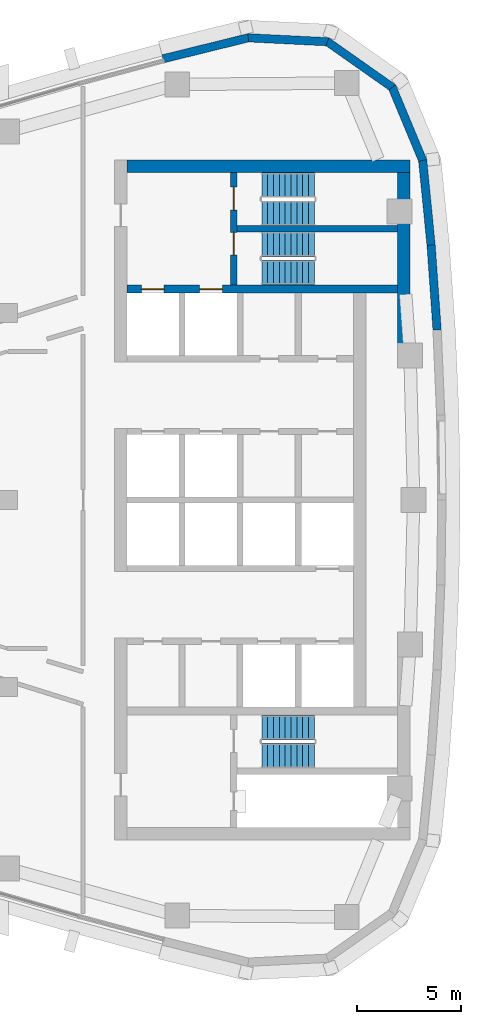
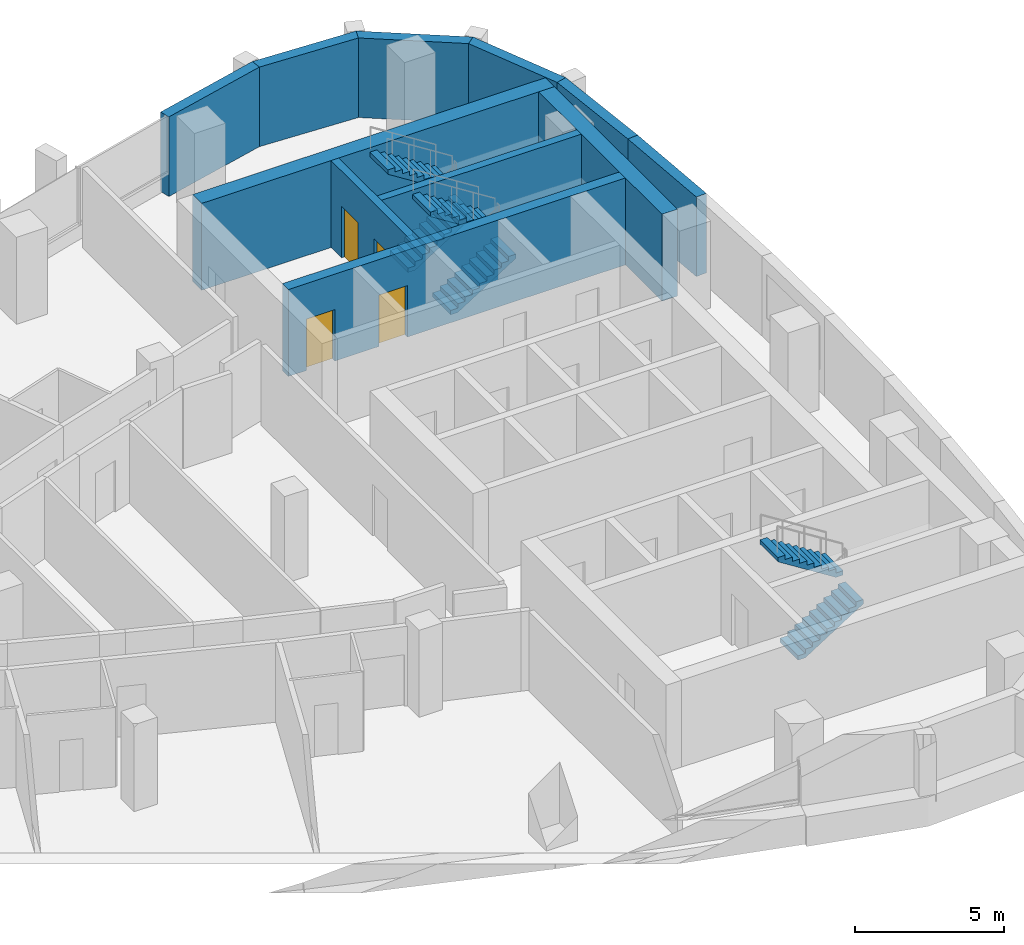
# One storey, part 11 of 15: 11 walls, 6 stair flights, 4 doors, 4 openings, 3 elements without a shape of their own.
"""IFC4 building model written with IfcOpenShell, lengths in metres."""

from ifc_helpers import new_model, si_unit, direction, frame, frame_2d, origin, place, context, subcontext, project, spatial, polyline, rectangle, outline, extrude, material, layer, layer_set, type_object, element, fill, aggregate, save


model = new_model("IFC4")

# Units and contexts
model_context = context("Model", 3, precision=1e-05, world=origin(), true_north=direction((0.0, 1.0)))
body_context = subcontext(model_context, "Body", "Model", "MODEL_VIEW")
ifc_project = project(units=[si_unit("LENGTHUNIT", "METRE"), si_unit("AREAUNIT", "SQUARE_METRE"), si_unit("VOLUMEUNIT", "CUBIC_METRE"), si_unit("PLANEANGLEUNIT", "RADIAN"), si_unit("MASSUNIT", "GRAM", prefix="KILO")], contexts=[model_context])

# Site, building, storey
site_placement = place(None, origin())
site = spatial("IfcSite", under=ifc_project, at=site_placement, CompositionType="ELEMENT")
building_placement = place(site_placement, origin())
building = spatial("IfcBuilding", under=site, at=building_placement, Name="Ostrand Prow Hotel Tower", CompositionType="ELEMENT")
storey_placement = place(building_placement, frame((0.0, 0.0, 242.10009765625)))
storey = spatial("IfcBuildingStorey", under=building, at=storey_placement, Name="L61", CompositionType="ELEMENT", Elevation=242.10009765625)

# Wall, openings, doors
ifc_material_1 = material(Name="Concrete C50/60", Category="concrete")
ifc_layer_1 = layer(ifc_material_1, 0.300048828125)
ifc_layer_set_1 = layer_set([ifc_layer_1], Name="Concrete C50/60")
wall_type_1 = type_object("IfcWallType", Name="Core wall 300 C50/60", PredefinedType="SHEAR", material=ifc_layer_set_1)
wall_1_placement = place(storey_placement, frame((55.85009765625, 10.35009765625, 0.0), z_axis=(0.0, 0.0, 1.0), x_axis=(0.0, 1.0, 0.0)))
wall_1 = element("IfcWall", 1, at=wall_1_placement, inside=storey, type_object=wall_type_1, Name="Core wall PW-VN", PredefinedType="SHEAR", context=body_context, shape_type="SweptSolid", body=[
    extrude(rectangle(XDim=5.39990234375, YDim=0.300048828125, at=frame_2d((2.699951171875, 0.0))), origin(), (0.0, 0.0, 1.0), 3.5498046875),
])
opening_1_placement = place(wall_1_placement, frame((1.429931640625, 0.0, 0.0)))
opening_1 = element("IfcOpeningElement", 2, at=opening_1_placement, cuts=wall_1, Name="Opening FD1", PredefinedType="OPENING", context=body_context, shape_type="SweptSolid", body=[
    extrude(rectangle(XDim=1.10009765625, YDim=2.10009765625, at=frame_2d((0.550048828125, 1.050048828125))), frame((0.0, 0.159912109375, 0.0), z_axis=(0.0, -1.0, 0.0), x_axis=(1.0, 0.0, 0.0)), (0.0, 0.0, 1.0), 0.320068359375),
])
opening_2_placement = place(wall_1_placement, frame((3.60009765625, 0.0, 0.0)))
opening_2 = element("IfcOpeningElement", 3, at=opening_2_placement, cuts=wall_1, Name="Opening FD1", PredefinedType="OPENING", context=body_context, shape_type="SweptSolid", body=[
    extrude(rectangle(XDim=1.10009765625, YDim=2.10009765625, at=frame_2d((0.550048828125, 1.050048828125))), frame((0.0, 0.159912109375, 0.0), z_axis=(0.0, -1.0, 0.0), x_axis=(1.0, 0.0, 0.0)), (0.0, 0.0, 1.0), 0.320068359375),
])
ifc_material_2 = material(Name="Steel fire door", Category="steel")
door_type_1 = type_object("IfcDoorType", Name="Fire door 1100 EI120", OperationType="SINGLE_SWING_RIGHT", PredefinedType="DOOR", material=ifc_material_2)
door_1_placement = place(opening_1_placement, origin())
door_1 = element("IfcDoor", 4, at=door_1_placement, inside=storey, type_object=door_type_1, Name="FIRE DOOR", OperationType="SINGLE_SWING_RIGHT", OverallHeight=2.10009765625, OverallWidth=1.10009765625, PredefinedType="DOOR", context=body_context, shape_type="SweptSolid", body=[
    extrude(rectangle(XDim=1.10009765625, YDim=2.10009765625, at=frame_2d((0.550048828125, 1.050048828125))), frame((0.0, 0.02490234375, 0.0), z_axis=(0.0, -1.0, 0.0), x_axis=(1.0, 0.0, 0.0)), (0.0, 0.0, 1.0), 0.050048828125),
])
fill(opening_1, door_1)
door_2_placement = place(opening_2_placement, origin())
door_2 = element("IfcDoor", 5, at=door_2_placement, inside=storey, type_object=door_type_1, Name="FIRE DOOR", OperationType="SINGLE_SWING_RIGHT", OverallHeight=2.10009765625, OverallWidth=1.10009765625, PredefinedType="DOOR", context=body_context, shape_type="SweptSolid", body=[
    extrude(rectangle(XDim=1.10009765625, YDim=2.10009765625, at=frame_2d((0.550048828125, 1.050048828125))), frame((0.0, 0.02490234375, 0.0), z_axis=(0.0, -1.0, 0.0), x_axis=(1.0, 0.0, 0.0)), (0.0, 0.0, 1.0), 0.050048828125),
])
fill(opening_2, door_2)

# Wall
wall_2_placement = place(storey_placement, frame((56.0, 13.050048828125, 0.0), z_axis=(0.0, 0.0, 1.0), x_axis=(1.0, 0.0, 0.0)))
element("IfcWall", 6, at=wall_2_placement, inside=storey, type_object=wall_type_1, Name="Core wall PW-ST13", PredefinedType="SHEAR", context=body_context, shape_type="SweptSolid", body=[
    extrude(rectangle(XDim=7.719970703125, YDim=0.300048828125, at=frame_2d((3.85986328125, 0.0))), origin(), (0.0, 0.0, 1.0), 3.5498046875),
])

# Wall, openings, doors
ifc_material_3 = material(Name="Concrete C50/60", Category="concrete")
ifc_layer_2 = layer(ifc_material_3, 0.39990234375)
ifc_layer_set_2 = layer_set([ifc_layer_2], Name="Concrete C50/60")
wall_type_2 = type_object("IfcWallType", Name="Core wall 400 C50/60", PredefinedType="SHEAR", material=ifc_layer_set_2)
wall_3_placement = place(storey_placement, frame((50.699951171875, 10.14990234375, 0.0), z_axis=(0.0, 0.0, 1.0), x_axis=(1.0, 0.0, 0.0)))
wall_3 = element("IfcWall", 7, at=wall_3_placement, inside=storey, type_object=wall_type_2, Name="Core wall PW-BN", PredefinedType="SHEAR", context=body_context, shape_type="SweptSolid", body=[
    extrude(rectangle(XDim=13.02001953125, YDim=0.39990234375, at=frame_2d((6.510009765625, 0.0))), origin(), (0.0, 0.0, 1.0), 3.5498046875),
])
opening_3_placement = place(wall_3_placement, frame((0.699951171875, 0.0, 0.0)))
opening_3 = element("IfcOpeningElement", 8, at=opening_3_placement, cuts=wall_3, Name="Opening LD", PredefinedType="OPENING", context=body_context, shape_type="SweptSolid", body=[
    extrude(rectangle(XDim=1.10009765625, YDim=2.10009765625, at=frame_2d((0.550048828125, 1.050048828125))), frame((0.0, 0.2099609375, 0.0), z_axis=(0.0, -1.0, 0.0), x_axis=(1.0, 0.0, 0.0)), (0.0, 0.0, 1.0), 0.419921875),
])
opening_4_placement = place(wall_3_placement, frame((3.5, 0.0, 0.0)))
opening_4 = element("IfcOpeningElement", 9, at=opening_4_placement, cuts=wall_3, Name="Opening LD", PredefinedType="OPENING", context=body_context, shape_type="SweptSolid", body=[
    extrude(rectangle(XDim=1.10009765625, YDim=2.10009765625, at=frame_2d((0.550048828125, 1.050048828125))), frame((0.0, 0.2099609375, 0.0), z_axis=(0.0, -1.0, 0.0), x_axis=(1.0, 0.0, 0.0)), (0.0, 0.0, 1.0), 0.419921875),
])
ifc_material_4 = material(Name="Stainless steel door", Category="steel")
door_type_2 = type_object("IfcDoorType", Name="Lift landing door 1100", OperationType="DOUBLE_DOOR_SLIDING", PredefinedType="DOOR", material=ifc_material_4)
door_3_placement = place(opening_3_placement, origin())
door_3 = element("IfcDoor", 10, at=door_3_placement, inside=storey, type_object=door_type_2, Name="LIFT LANDING DOOR", OperationType="DOUBLE_DOOR_SLIDING", OverallHeight=2.10009765625, OverallWidth=1.10009765625, PredefinedType="DOOR", context=body_context, shape_type="SweptSolid", body=[
    extrude(rectangle(XDim=1.10009765625, YDim=2.10009765625, at=frame_2d((0.550048828125, 1.050048828125))), frame((0.0, 0.02490234375, 0.0), z_axis=(0.0, -1.0, 0.0), x_axis=(1.0, 0.0, 0.0)), (0.0, 0.0, 1.0), 0.050048828125),
])
fill(opening_3, door_3)
door_4_placement = place(opening_4_placement, origin())
door_4 = element("IfcDoor", 11, at=door_4_placement, inside=storey, type_object=door_type_2, Name="LIFT LANDING DOOR", OperationType="DOUBLE_DOOR_SLIDING", OverallHeight=2.10009765625, OverallWidth=1.10009765625, PredefinedType="DOOR", context=body_context, shape_type="SweptSolid", body=[
    extrude(rectangle(XDim=1.10009765625, YDim=2.10009765625, at=frame_2d((0.550048828125, 1.050048828125))), frame((0.0, 0.02490234375, 0.0), z_axis=(0.0, -1.0, 0.0), x_axis=(1.0, 0.0, 0.0)), (0.0, 0.0, 1.0), 0.050048828125),
])
fill(opening_4, door_4)

# Walls
ifc_material_5 = material(Name="Concrete C50/60", Category="concrete")
ifc_layer_3 = layer(ifc_material_5, 0.60009765625)
ifc_layer_set_3 = layer_set([ifc_layer_3], Name="Concrete C50/60")
wall_type_3 = type_object("IfcWallType", Name="Core wall 600 C50/60", PredefinedType="SHEAR", material=ifc_layer_set_3)
wall_4_placement = place(storey_placement, frame((50.699951171875, 16.050048828125, 0.0), z_axis=(0.0, 0.0, 1.0), x_axis=(1.0, 0.0, 0.0)))
element("IfcWall", 12, at=wall_4_placement, inside=storey, type_object=wall_type_3, Name="Core wall CW-N", PredefinedType="SHEAR", context=body_context, shape_type="SweptSolid", body=[
    extrude(rectangle(XDim=13.6201171875, YDim=0.60009765625, at=frame_2d((6.81005859375, 0.0))), origin(), (0.0, 0.0, 1.0), 3.5498046875),
])
wall_5_placement = place(storey_placement, frame((64.02001953125, 7.502197265625, 0.0), z_axis=(0.0, 0.0, 1.0), x_axis=(0.0, 1.0, 0.0)))
element("IfcWall", 13, at=wall_5_placement, inside=storey, type_object=wall_type_3, Name="Core wall CW-E-N", PredefinedType="SHEAR", context=body_context, shape_type="SweptSolid", body=[
    extrude(rectangle(XDim=8.247802734375, YDim=0.60009765625, at=frame_2d((4.1240234375, 0.0))), origin(), (0.0, 0.0, 1.0), 3.5498046875),
])
ifc_material_6 = material(Name="Precast concrete C40/50", Category="concrete")
ifc_layer_4 = layer(ifc_material_6, 0.39990234375)
ifc_layer_set_4 = layer_set([ifc_layer_4], Name="Precast concrete C40/50")
wall_type_4 = type_object("IfcWallType", Name="Stone-faced precast wall 400 mm", PredefinedType="NOTDEFINED", material=ifc_layer_set_4)
wall_6_placement = place(storey_placement, frame((65.630615234375, 8.181640625, 0.0), z_axis=(0.0, 0.0, 1.0), x_axis=(-0.070623905352, 0.997503014528, 0.0)))
element("IfcWall", 14, at=wall_6_placement, inside=storey, type_object=wall_type_4, Name="Stone-faced wall back 11", PredefinedType="NOTDEFINED", context=body_context, shape_type="SweptSolid", body=[
    extrude(outline(polyline([(-0.002685546875, -0.199951171875), (4.095703125, -0.199951171875), (4.09033203125, 0.199951171875), (0.002685546875, 0.199951171875), (-0.002685546875, -0.199951171875)])), origin(), (0.0, 0.0, 1.0), 3.25),
])
wall_7_placement = place(storey_placement, frame((65.341552734375, 12.264404296875, 0.0), z_axis=(0.0, 0.0, 1.0), x_axis=(-0.098718218066, 0.995115427185, 0.0)))
element("IfcWall", 15, at=wall_7_placement, inside=storey, type_object=wall_type_4, Name="Stone-faced wall back 12", PredefinedType="NOTDEFINED", context=body_context, shape_type="SweptSolid", body=[
    extrude(outline(polyline([(-0.002685546875, -0.199951171875), (4.122802734375, -0.199951171875), (4.063232421875, 0.199951171875), (0.002685546875, 0.199951171875), (-0.002685546875, -0.199951171875)])), origin(), (0.0, 0.0, 1.0), 3.25),
])
wall_8_placement = place(storey_placement, frame((64.9375, 16.33740234375, 0.0), z_axis=(0.0, 0.0, 1.0), x_axis=(-0.3844335483, 0.923152667191, 0.0)))
element("IfcWall", 16, at=wall_8_placement, inside=storey, type_object=wall_type_4, Name="Stone-faced wall back 13", PredefinedType="NOTDEFINED", context=body_context, shape_type="SweptSolid", body=[
    extrude(outline(polyline([(-0.02978515625, -0.199951171875), (3.871337890625, -0.199951171875), (3.755615234375, 0.199951171875), (0.02978515625, 0.199951171875), (-0.02978515625, -0.199951171875)])), origin(), (0.0, 0.0, 1.0), 3.25),
])
wall_9_placement = place(storey_placement, frame((63.471435546875, 19.85791015625, 0.0), z_axis=(0.0, 0.0, 1.0), x_axis=(-0.817942545532, 0.575299915009, 0.0)))
element("IfcWall", 17, at=wall_9_placement, inside=storey, type_object=wall_type_4, Name="Stone-faced wall back 14", PredefinedType="NOTDEFINED", context=body_context, shape_type="SweptSolid", body=[
    extrude(outline(polyline([(-0.057861328125, -0.199951171875), (3.871337890625, -0.199951171875), (3.755615234375, 0.199951171875), (0.057861328125, 0.199951171875), (-0.057861328125, -0.199951171875)])), origin(), (0.0, 0.0, 1.0), 3.25),
])
wall_10_placement = place(storey_placement, frame((60.352294921875, 22.0517578125, 0.0), z_axis=(0.0, 0.0, 1.0), x_axis=(-0.998758875872, 0.049806705046, 0.0)))
element("IfcWall", 18, at=wall_10_placement, inside=storey, type_object=wall_type_4, Name="Stone-faced wall back 15", PredefinedType="NOTDEFINED", context=body_context, shape_type="SweptSolid", body=[
    extrude(outline(polyline([(-0.057861328125, -0.199951171875), (3.8427734375, -0.199951171875), (3.7841796875, 0.199951171875), (0.057861328125, 0.199951171875), (-0.057861328125, -0.199951171875)])), origin(), (0.0, 0.0, 1.0), 3.25),
])
wall_11_placement = place(storey_placement, frame((56.54345703125, 22.24169921875, 0.0), z_axis=(0.0, 0.0, 1.0), x_axis=(-0.970902342456, -0.23947576373, 0.0)))
element("IfcWall", 19, at=wall_11_placement, inside=storey, type_object=wall_type_4, Name="Stone-faced wall back 16", PredefinedType="NOTDEFINED", context=body_context, shape_type="SweptSolid", body=[
    extrude(outline(polyline([(-0.029296875, -0.199951171875), (4.225830078125, -0.199951171875), (4.225830078125, 0.199951171875), (0.029296875, 0.199951171875), (-0.029296875, -0.199951171875)])), origin(), (0.0, 0.0, 1.0), 3.25),
])

# Stair, stair flights
ifc_material_7 = material(Name="Concrete C40/50", Category="concrete")
stair_type = type_object("IfcStairType", Name="Exit stair 1200 upper zone", PredefinedType="HALF_TURN_STAIR", material=ifc_material_7)
stair_1_placement = place(storey_placement, origin())
stair_1 = element("IfcStair", 20, at=stair_1_placement, inside=storey, type_object=stair_type, Name="L61 ST1C", PredefinedType="HALF_TURN_STAIR")
ifc_material_8 = material(Name="Concrete C40/50", Category="concrete")
stair_flight_type = type_object("IfcStairFlightType", Name="Stair flight 1200 concrete", PredefinedType="STRAIGHT", material=ifc_material_8)
stair_flight_1_placement = place(storey_placement, frame((57.199951171875, 10.949951171875, 0.0), z_axis=(0.0, 0.0, 1.0), x_axis=(1.0, 0.0, 0.0)))
stair_flight_1 = element("IfcStairFlight", 21, at=stair_flight_1_placement, type_object=stair_flight_type, Name="ST1C flight 1", NumberOfRisers=10, NumberOfTreads=9, PredefinedType="STRAIGHT", RiserHeight=0.1775, TreadLength=0.28, context=body_context, shape_type="SweptSolid", body=[
    extrude(outline(polyline([(0.0, 0.0), (0.0, 0.177490234375), (0.280029296875, 0.177490234375), (0.280029296875, 0.35498046875), (0.56005859375, 0.35498046875), (0.56005859375, 0.532470703125), (0.840087890625, 0.532470703125), (0.840087890625, 0.7099609375), (1.1201171875, 0.7099609375), (1.1201171875, 0.887451171875), (1.39990234375, 0.887451171875), (1.39990234375, 1.06494140625), (1.679931640625, 1.06494140625), (1.679931640625, 1.242431640625), (1.9599609375, 1.242431640625), (1.9599609375, 1.419921875), (2.239990234375, 1.419921875), (2.239990234375, 1.597412109375), (2.52001953125, 1.597412109375), (2.52001953125, 1.77490234375), (2.52001953125, 1.419921875), (0.280029296875, 0.0), (0.0, 0.0)])), frame((0.0, 0.60009765625, 0.0), z_axis=(0.0, -1.0, 0.0), x_axis=(1.0, 0.0, 0.0)), (0.0, 0.0, 1.0), 1.199951171875),
])
stair_flight_2_placement = place(storey_placement, frame((59.719970703125, 12.300048828125, 1.77490234375), z_axis=(0.0, 0.0, 1.0), x_axis=(-1.0, 0.0, 0.0)))
stair_flight_2 = element("IfcStairFlight", 22, at=stair_flight_2_placement, type_object=stair_flight_type, Name="ST1C flight 2", NumberOfRisers=10, NumberOfTreads=9, PredefinedType="STRAIGHT", RiserHeight=0.1775, TreadLength=0.28, context=body_context, shape_type="SweptSolid", body=[
    extrude(outline(polyline([(0.0, 0.0), (0.0, 0.177490234375), (0.280029296875, 0.177490234375), (0.280029296875, 0.35498046875), (0.56005859375, 0.35498046875), (0.56005859375, 0.532470703125), (0.840087890625, 0.532470703125), (0.840087890625, 0.7099609375), (1.1201171875, 0.7099609375), (1.1201171875, 0.887451171875), (1.39990234375, 0.887451171875), (1.39990234375, 1.06494140625), (1.679931640625, 1.06494140625), (1.679931640625, 1.242431640625), (1.9599609375, 1.242431640625), (1.9599609375, 1.419921875), (2.239990234375, 1.419921875), (2.239990234375, 1.597412109375), (2.52001953125, 1.597412109375), (2.52001953125, 1.77490234375), (2.52001953125, 1.419921875), (0.280029296875, 0.0), (0.0, 0.0)])), frame((0.0, 0.60009765625, 0.0), z_axis=(0.0, -1.0, 0.0), x_axis=(1.0, 0.0, 0.0)), (0.0, 0.0, 1.0), 1.199951171875),
])
aggregate(stair_1, [stair_flight_1, stair_flight_2])

stair_2_placement = place(storey_placement, origin())
stair_2 = element("IfcStair", 23, at=stair_2_placement, inside=storey, type_object=stair_type, Name="L61 ST3C", PredefinedType="HALF_TURN_STAIR")
stair_flight_3_placement = place(storey_placement, frame((57.199951171875, 13.800048828125, 0.0), z_axis=(0.0, 0.0, 1.0), x_axis=(1.0, 0.0, 0.0)))
stair_flight_3 = element("IfcStairFlight", 24, at=stair_flight_3_placement, type_object=stair_flight_type, Name="ST3C flight 1", NumberOfRisers=10, NumberOfTreads=9, PredefinedType="STRAIGHT", RiserHeight=0.1775, TreadLength=0.28, context=body_context, shape_type="SweptSolid", body=[
    extrude(outline(polyline([(0.0, 0.0), (0.0, 0.177490234375), (0.280029296875, 0.177490234375), (0.280029296875, 0.35498046875), (0.56005859375, 0.35498046875), (0.56005859375, 0.532470703125), (0.840087890625, 0.532470703125), (0.840087890625, 0.7099609375), (1.1201171875, 0.7099609375), (1.1201171875, 0.887451171875), (1.39990234375, 0.887451171875), (1.39990234375, 1.06494140625), (1.679931640625, 1.06494140625), (1.679931640625, 1.242431640625), (1.9599609375, 1.242431640625), (1.9599609375, 1.419921875), (2.239990234375, 1.419921875), (2.239990234375, 1.597412109375), (2.52001953125, 1.597412109375), (2.52001953125, 1.77490234375), (2.52001953125, 1.419921875), (0.280029296875, 0.0), (0.0, 0.0)])), frame((0.0, 0.60009765625, 0.0), z_axis=(0.0, -1.0, 0.0), x_axis=(1.0, 0.0, 0.0)), (0.0, 0.0, 1.0), 1.199951171875),
])
stair_flight_4_placement = place(storey_placement, frame((59.719970703125, 15.14990234375, 1.77490234375), z_axis=(0.0, 0.0, 1.0), x_axis=(-1.0, 0.0, 0.0)))
stair_flight_4 = element("IfcStairFlight", 25, at=stair_flight_4_placement, type_object=stair_flight_type, Name="ST3C flight 2", NumberOfRisers=10, NumberOfTreads=9, PredefinedType="STRAIGHT", RiserHeight=0.1775, TreadLength=0.28, context=body_context, shape_type="SweptSolid", body=[
    extrude(outline(polyline([(0.0, 0.0), (0.0, 0.177490234375), (0.280029296875, 0.177490234375), (0.280029296875, 0.35498046875), (0.56005859375, 0.35498046875), (0.56005859375, 0.532470703125), (0.840087890625, 0.532470703125), (0.840087890625, 0.7099609375), (1.1201171875, 0.7099609375), (1.1201171875, 0.887451171875), (1.39990234375, 0.887451171875), (1.39990234375, 1.06494140625), (1.679931640625, 1.06494140625), (1.679931640625, 1.242431640625), (1.9599609375, 1.242431640625), (1.9599609375, 1.419921875), (2.239990234375, 1.419921875), (2.239990234375, 1.597412109375), (2.52001953125, 1.597412109375), (2.52001953125, 1.77490234375), (2.52001953125, 1.419921875), (0.280029296875, 0.0), (0.0, 0.0)])), frame((0.0, 0.60009765625, 0.0), z_axis=(0.0, -1.0, 0.0), x_axis=(1.0, 0.0, 0.0)), (0.0, 0.0, 1.0), 1.199951171875),
])
aggregate(stair_2, [stair_flight_3, stair_flight_4])

stair_3_placement = place(storey_placement, origin())
stair_3 = element("IfcStair", 26, at=stair_3_placement, inside=storey, type_object=stair_type, Name="L61 ST2C", PredefinedType="HALF_TURN_STAIR")
stair_flight_5_placement = place(storey_placement, frame((57.199951171875, -12.300048828125, 0.0), z_axis=(0.0, 0.0, 1.0), x_axis=(1.0, 0.0, 0.0)))
stair_flight_5 = element("IfcStairFlight", 27, at=stair_flight_5_placement, type_object=stair_flight_type, Name="ST2C flight 1", NumberOfRisers=10, NumberOfTreads=9, PredefinedType="STRAIGHT", RiserHeight=0.1775, TreadLength=0.28, context=body_context, shape_type="SweptSolid", body=[
    extrude(outline(polyline([(0.0, 0.0), (0.0, 0.177490234375), (0.280029296875, 0.177490234375), (0.280029296875, 0.35498046875), (0.56005859375, 0.35498046875), (0.56005859375, 0.532470703125), (0.840087890625, 0.532470703125), (0.840087890625, 0.7099609375), (1.1201171875, 0.7099609375), (1.1201171875, 0.887451171875), (1.39990234375, 0.887451171875), (1.39990234375, 1.06494140625), (1.679931640625, 1.06494140625), (1.679931640625, 1.242431640625), (1.9599609375, 1.242431640625), (1.9599609375, 1.419921875), (2.239990234375, 1.419921875), (2.239990234375, 1.597412109375), (2.52001953125, 1.597412109375), (2.52001953125, 1.77490234375), (2.52001953125, 1.419921875), (0.280029296875, 0.0), (0.0, 0.0)])), frame((0.0, 0.60009765625, 0.0), z_axis=(0.0, -1.0, 0.0), x_axis=(1.0, 0.0, 0.0)), (0.0, 0.0, 1.0), 1.199951171875),
])
stair_flight_6_placement = place(storey_placement, frame((59.719970703125, -10.949951171875, 1.77490234375), z_axis=(0.0, 0.0, 1.0), x_axis=(-1.0, 0.0, 0.0)))
stair_flight_6 = element("IfcStairFlight", 28, at=stair_flight_6_placement, type_object=stair_flight_type, Name="ST2C flight 2", NumberOfRisers=10, NumberOfTreads=9, PredefinedType="STRAIGHT", RiserHeight=0.1775, TreadLength=0.28, context=body_context, shape_type="SweptSolid", body=[
    extrude(outline(polyline([(0.0, 0.0), (0.0, 0.177490234375), (0.280029296875, 0.177490234375), (0.280029296875, 0.35498046875), (0.56005859375, 0.35498046875), (0.56005859375, 0.532470703125), (0.840087890625, 0.532470703125), (0.840087890625, 0.7099609375), (1.1201171875, 0.7099609375), (1.1201171875, 0.887451171875), (1.39990234375, 0.887451171875), (1.39990234375, 1.06494140625), (1.679931640625, 1.06494140625), (1.679931640625, 1.242431640625), (1.9599609375, 1.242431640625), (1.9599609375, 1.419921875), (2.239990234375, 1.419921875), (2.239990234375, 1.597412109375), (2.52001953125, 1.597412109375), (2.52001953125, 1.77490234375), (2.52001953125, 1.419921875), (0.280029296875, 0.0), (0.0, 0.0)])), frame((0.0, 0.60009765625, 0.0), z_axis=(0.0, -1.0, 0.0), x_axis=(1.0, 0.0, 0.0)), (0.0, 0.0, 1.0), 1.199951171875),
])
aggregate(stair_3, [stair_flight_5, stair_flight_6])

save(model, "model.ifc")
